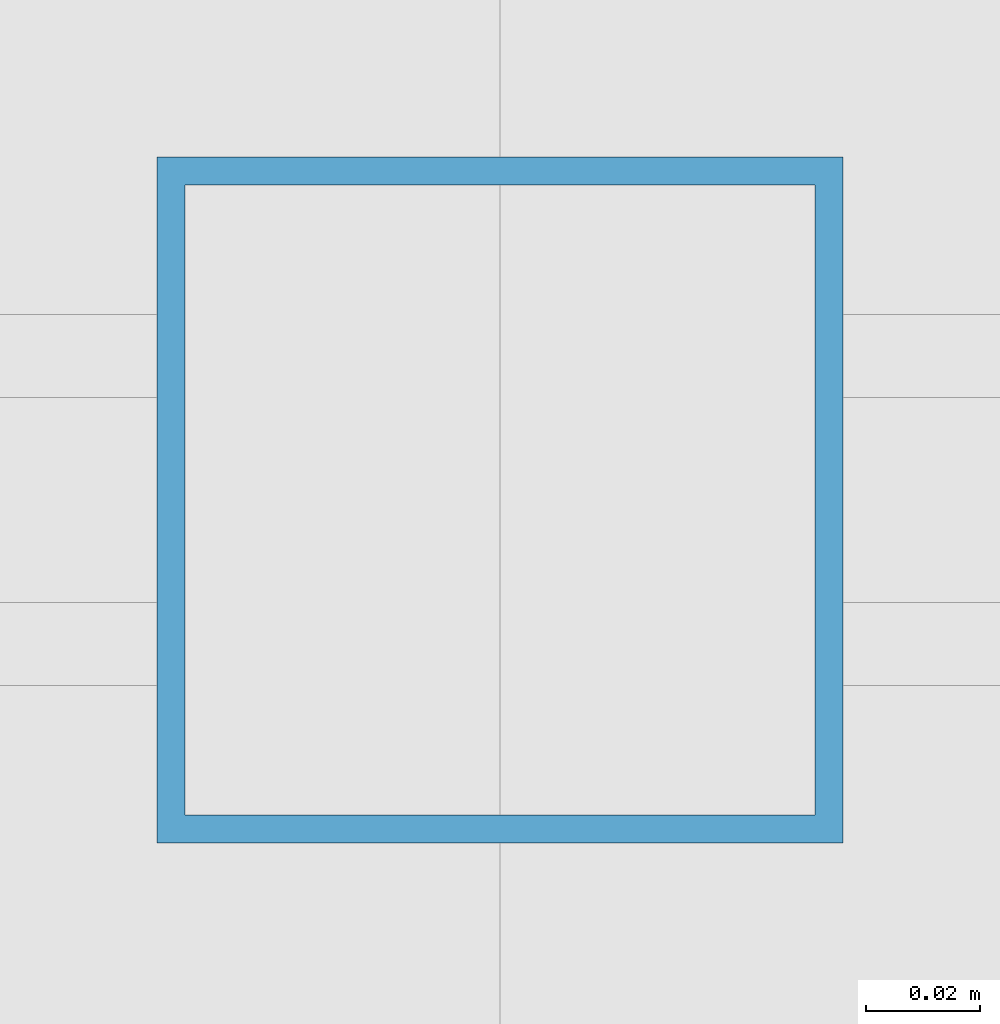
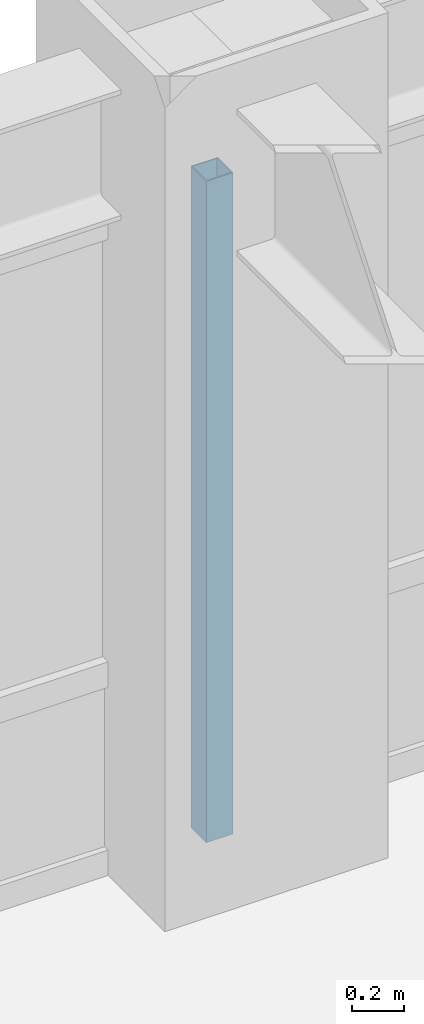
# One storey, part 16 of 24: 1 member, 1 element without a shape of its own.
"""IFC4 building model written with IfcOpenShell, lengths in metres."""

from ifc_helpers import new_model, si_unit, direction, frame, origin, origin_2d, place, context, subcontext, project, spatial, hollow_rectangle, extrude, source, transform, mapped, material, material_profile, profile_set, type_object, element, aggregate, save


model = new_model("IFC4")

# Units and contexts
model_context = context("Model", 3, precision=1e-05, world=origin(), true_north=direction((0.0, 1.0)))
body_context = subcontext(model_context, "Body", "Model", "MODEL_VIEW")
ifc_project = project(units=[si_unit("LENGTHUNIT", "METRE"), si_unit("AREAUNIT", "SQUARE_METRE"), si_unit("VOLUMEUNIT", "CUBIC_METRE"), si_unit("PLANEANGLEUNIT", "RADIAN"), si_unit("MASSUNIT", "GRAM", prefix="KILO")], contexts=[model_context])

# Site, building, storey
site_placement = place(None, origin())
site = spatial("IfcSite", under=ifc_project, at=site_placement, CompositionType="ELEMENT")
building_placement = place(site_placement, origin())
building = spatial("IfcBuilding", under=site, at=building_placement, Name="Khorayat Bourse Tower", CompositionType="ELEMENT")
storey_placement = place(building_placement, frame((0.0, 0.0, 215.10009765625)))
storey = spatial("IfcBuildingStorey", under=building, at=storey_placement, Name="L50", CompositionType="ELEMENT", Elevation=215.10009765625)

# Curtain wall, member
ifc_material = material(Name="Aluminium EN AW-6063 T6", Category="aluminium")
curtain_wall_type = type_object("IfcCurtainWallType", Name="CW-SYS-03", PredefinedType="NOTDEFINED", material=ifc_material)
curtain_wall_placement = place(storey_placement, origin())
curtain_wall = element("IfcCurtainWall", 1, at=curtain_wall_placement, inside=storey, type_object=curtain_wall_type, Name="L50 Curtain Wall CW-L50-N1", PredefinedType="NOTDEFINED")
ifc_material_profile = material_profile(ifc_material, hollow_rectangle(XDim=0.1201171875, YDim=0.1201171875, WallThickness=0.0048828125, at=origin_2d()), Name="ALU 120x120x5")
ifc_profile_set = profile_set([ifc_material_profile], Name="Aluminium EN AW-6063 T6")
member_type = type_object("IfcMemberType", Name="CWM-VERT-120", PredefinedType="MULLION", material=ifc_profile_set)
shared_shape = source(origin(), body_context, "Body", "SweptSolid", [
    extrude(hollow_rectangle(XDim=0.1201171875, YDim=0.1201171875, WallThickness=0.0048828125, at=origin_2d()), origin(), (0.0, 0.0, 1.0), 3.1298828125),
])
member_placement = place(storey_placement, frame((0.0, 30.0, 0.0), z_axis=(0.0, 0.0, 1.0), x_axis=(0.0, 1.0, 0.0)))
member = element("IfcMember", 2, at=member_placement, type_object=member_type, Name="CW-L50-N1 Vertical Mullion 2", PredefinedType="MULLION", context=body_context, shape_type="MappedRepresentation", body=[
    mapped(shared_shape, transform((0.0, 0.0, 0.0), scale=1.0)),
])
aggregate(curtain_wall, [member])

save(model, "model.ifc")
